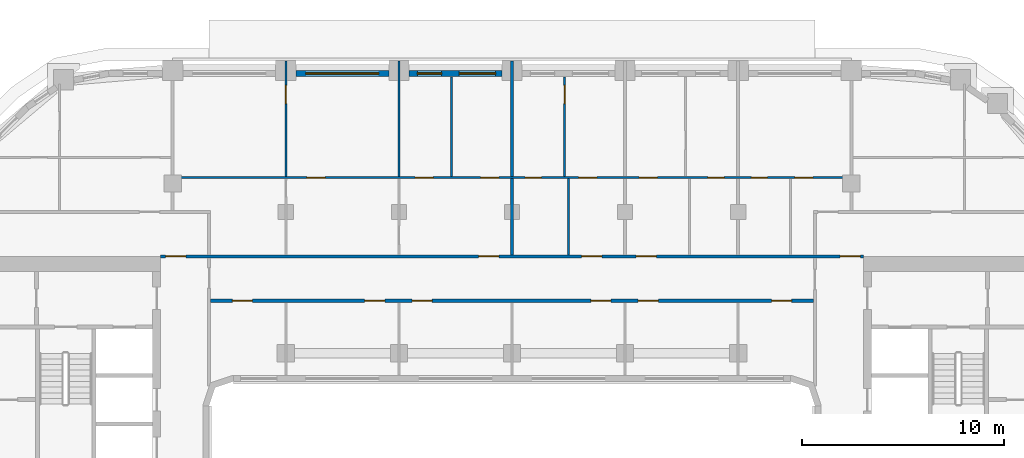
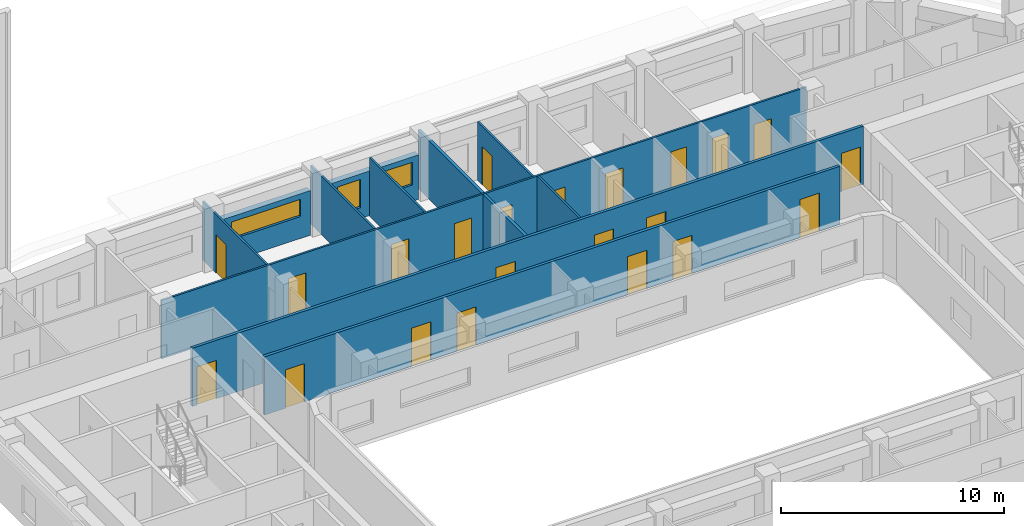
# One storey, part 8 of 22: 22 doors, 12 walls, 3 windows, 25 openings.
"""IFC4 building model written with IfcOpenShell, lengths in metres."""

from ifc_helpers import new_model, si_unit, direction, frame, frame_2d, origin, place, context, subcontext, project, spatial, rectangle, extrude, material, layer, layer_set, type_object, element, fill, save


model = new_model("IFC4")

# Units and contexts
model_context = context("Model", 3, precision=1e-05, world=origin(), true_north=direction((0.0, 1.0)))
body_context = subcontext(model_context, "Body", "Model", "MODEL_VIEW")
ifc_project = project(units=[si_unit("LENGTHUNIT", "METRE"), si_unit("AREAUNIT", "SQUARE_METRE"), si_unit("VOLUMEUNIT", "CUBIC_METRE"), si_unit("PLANEANGLEUNIT", "RADIAN"), si_unit("MASSUNIT", "GRAM", prefix="KILO")], contexts=[model_context])

# Site, building, storey
site_placement = place(None, origin())
site = spatial("IfcSite", under=ifc_project, at=site_placement, CompositionType="ELEMENT")
building_placement = place(site_placement, origin())
building = spatial("IfcBuilding", under=site, at=building_placement, Name="Kiln Ring Residences", CompositionType="ELEMENT")
storey_placement = place(building_placement, frame((0.0, 0.0, 160.60009765625)))
storey = spatial("IfcBuildingStorey", under=building, at=storey_placement, Name="L41", CompositionType="ELEMENT", Elevation=160.60009765625)

# Wall, openings, windows
ifc_material_1 = material(Name="Brick masonry, dark clay brick", Category="masonry")
ifc_layer_1 = layer(ifc_material_1, 0.300048828125)
ifc_layer_set_1 = layer_set([ifc_layer_1], Name="EW-300 BRICK WALL")
wall_type_1 = type_object("IfcWallType", Name="EW-300 BRICK WALL", PredefinedType="SOLIDWALL", material=ifc_layer_set_1)
wall_1_placement = place(storey_placement, frame((-0.5, 22.25, 0.0), z_axis=(0.0, 0.0, 1.0), x_axis=(-1.0, 0.0, 0.0)))
wall_1 = element("IfcWall", 1, at=wall_1_placement, inside=storey, type_object=wall_type_1, Name="Facade wall L41 32", PredefinedType="SOLIDWALL", context=body_context, shape_type="SweptSolid", body=[
    extrude(rectangle(XDim=4.60009765625, YDim=0.300048828125, at=frame_2d((2.300048828125, 0.0))), origin(), (0.0, 0.0, 1.0), 2.449951171875),
])
opening_1_placement = place(wall_1_placement, frame((0.3125, 0.0, 0.89990234375)))
opening_1 = element("IfcOpeningElement", 2, at=opening_1_placement, cuts=wall_1, Name="Opening W2", PredefinedType="OPENING", context=body_context, shape_type="SweptSolid", body=[
    extrude(rectangle(XDim=1.800048828125, YDim=1.25, at=frame_2d((0.89990234375, 0.625))), frame((0.0, 0.159912109375, 0.0), z_axis=(0.0, -1.0, 0.0), x_axis=(1.0, 0.0, 0.0)), (0.0, 0.0, 1.0), 0.320068359375),
])
opening_2_placement = place(wall_1_placement, frame((2.987548828125, 0.0, 0.60009765625)))
opening_2 = element("IfcOpeningElement", 3, at=opening_2_placement, cuts=wall_1, Name="Opening W1", PredefinedType="OPENING", context=body_context, shape_type="SweptSolid", body=[
    extrude(rectangle(XDim=1.199951171875, YDim=1.550048828125, at=frame_2d((0.60009765625, 0.77490234375))), frame((0.0, 0.159912109375, 0.0), z_axis=(0.0, -1.0, 0.0), x_axis=(1.0, 0.0, 0.0)), (0.0, 0.0, 1.0), 0.320068359375),
])
ifc_material_2 = material(Name="Aluminium frame with double glazing", Category="aluminium")
window_type_1 = type_object("IfcWindowType", Name="WINDOW 1200 x 1550", PartitioningType="SINGLE_PANEL", PredefinedType="WINDOW", material=ifc_material_2)
window_1_placement = place(opening_2_placement, origin())
window_1 = element("IfcWindow", 4, at=window_1_placement, inside=storey, type_object=window_type_1, Name="Window L41 25", OverallHeight=1.550048828125, OverallWidth=1.199951171875, PartitioningType="SINGLE_PANEL", PredefinedType="WINDOW", context=body_context, shape_type="SweptSolid", body=[
    extrude(rectangle(XDim=1.199951171875, YDim=1.550048828125, at=frame_2d((0.60009765625, 0.77490234375))), frame((0.0, 0.030029296875, 0.0), z_axis=(0.0, -1.0, 0.0), x_axis=(1.0, 0.0, 0.0)), (0.0, 0.0, 1.0), 0.06005859375),
])
fill(opening_2, window_1)
ifc_material_3 = material(Name="Aluminium frame with double glazing", Category="aluminium")
window_type_2 = type_object("IfcWindowType", Name="WINDOW 1800 x 1250", PartitioningType="SINGLE_PANEL", PredefinedType="WINDOW", material=ifc_material_3)
window_2_placement = place(opening_1_placement, origin())
window_2 = element("IfcWindow", 5, at=window_2_placement, inside=storey, type_object=window_type_2, Name="Window L41 24", OverallHeight=1.25, OverallWidth=1.800048828125, PartitioningType="SINGLE_PANEL", PredefinedType="WINDOW", context=body_context, shape_type="SweptSolid", body=[
    extrude(rectangle(XDim=1.800048828125, YDim=1.25, at=frame_2d((0.89990234375, 0.625))), frame((0.0, 0.030029296875, 0.0), z_axis=(0.0, -1.0, 0.0), x_axis=(1.0, 0.0, 0.0)), (0.0, 0.0, 1.0), 0.06005859375),
])
fill(opening_1, window_2)

# Wall, opening, window
wall_2_placement = place(storey_placement, frame((-6.10009765625, 22.25, 0.0), z_axis=(0.0, 0.0, 1.0), x_axis=(-1.0, 0.0, 0.0)))
wall_2 = element("IfcWall", 6, at=wall_2_placement, inside=storey, type_object=wall_type_1, Name="Facade wall L41 33", PredefinedType="SOLIDWALL", context=body_context, shape_type="SweptSolid", body=[
    extrude(rectangle(XDim=4.599853515625, YDim=0.300048828125, at=frame_2d((2.2998046875, 0.0))), origin(), (0.0, 0.0, 1.0), 2.449951171875),
])
opening_3_placement = place(wall_2_placement, frame((0.5, 0.0, 1.199951171875)))
opening_3 = element("IfcOpeningElement", 7, at=opening_3_placement, cuts=wall_2, Name="Opening W4", PredefinedType="OPENING", context=body_context, shape_type="SweptSolid", body=[
    extrude(rectangle(XDim=3.60009765625, YDim=0.949951171875, at=frame_2d((1.800048828125, 0.47509765625))), frame((0.0, 0.159912109375, 0.0), z_axis=(0.0, -1.0, 0.0), x_axis=(1.0, 0.0, 0.0)), (0.0, 0.0, 1.0), 0.320068359375),
])
ifc_material_4 = material(Name="Aluminium frame with double glazing", Category="aluminium")
window_type_3 = type_object("IfcWindowType", Name="WINDOW 3600 x 950", PartitioningType="SINGLE_PANEL", PredefinedType="WINDOW", material=ifc_material_4)
window_3_placement = place(opening_3_placement, origin())
window_3 = element("IfcWindow", 8, at=window_3_placement, inside=storey, type_object=window_type_3, Name="Window L41 26", OverallHeight=0.949951171875, OverallWidth=3.60009765625, PartitioningType="SINGLE_PANEL", PredefinedType="WINDOW", context=body_context, shape_type="SweptSolid", body=[
    extrude(rectangle(XDim=3.60009765625, YDim=0.949951171875, at=frame_2d((1.800048828125, 0.47509765625))), frame((0.0, 0.030029296875, 0.0), z_axis=(0.0, -1.0, 0.0), x_axis=(1.0, 0.0, 0.0)), (0.0, 0.0, 1.0), 0.06005859375),
])
fill(opening_3, window_3)

# Wall, openings, doors
ifc_material_5 = material(Name="Gypsum board on steel studs", Category="steel")
ifc_layer_2 = layer(ifc_material_5, 0.10009765625)
ifc_layer_set_2 = layer_set([ifc_layer_2], Name="PARTITION-100")
wall_type_2 = type_object("IfcWallType", Name="PARTITION-100", PredefinedType="PARTITIONING", material=ifc_layer_set_2)
wall_3_placement = place(storey_placement, frame((-16.72509765625, 17.10009765625, 0.0), z_axis=(0.0, 0.0, 1.0), x_axis=(1.0, 0.0, 0.0)))
wall_3 = element("IfcWall", 9, at=wall_3_placement, inside=storey, type_object=wall_type_2, Name="Partition 011", PredefinedType="PARTITIONING", context=body_context, shape_type="SweptSolid", body=[
    extrude(rectangle(XDim=33.4501953125, YDim=0.10009765625, at=frame_2d((16.72509765625, 0.0))), origin(), (0.0, 0.0, 1.0), 3.199951171875),
])
opening_4_placement = place(wall_3_placement, frame((11.925048828125, 0.0, 0.0)))
opening_4 = element("IfcOpeningElement", 10, at=opening_4_placement, cuts=wall_3, Name="Opening L41-D018", PredefinedType="OPENING", context=body_context, shape_type="SweptSolid", body=[
    extrude(rectangle(XDim=0.89990234375, YDim=2.10009765625, at=frame_2d((0.449951171875, 1.050048828125))), frame((0.0, 0.06005859375, 0.0), z_axis=(0.0, -1.0, 0.0), x_axis=(1.0, 0.0, 0.0)), (0.0, 0.0, 1.0), 0.1201171875),
])
opening_5_placement = place(wall_3_placement, frame((15.175048828125, 0.0, 0.0)))
opening_5 = element("IfcOpeningElement", 11, at=opening_5_placement, cuts=wall_3, Name="Opening L41-D019", PredefinedType="OPENING", context=body_context, shape_type="SweptSolid", body=[
    extrude(rectangle(XDim=0.89990234375, YDim=2.10009765625, at=frame_2d((0.449951171875, 1.050048828125))), frame((0.0, 0.06005859375, 0.0), z_axis=(0.0, -1.0, 0.0), x_axis=(1.0, 0.0, 0.0)), (0.0, 0.0, 1.0), 0.1201171875),
])
opening_6_placement = place(wall_3_placement, frame((6.574951171875, 0.0, 0.0)))
opening_6 = element("IfcOpeningElement", 12, at=opening_6_placement, cuts=wall_3, Name="Opening L41-D020", PredefinedType="OPENING", context=body_context, shape_type="SweptSolid", body=[
    extrude(rectangle(XDim=0.89990234375, YDim=2.10009765625, at=frame_2d((0.449951171875, 1.050048828125))), frame((0.0, 0.06005859375, 0.0), z_axis=(0.0, -1.0, 0.0), x_axis=(1.0, 0.0, 0.0)), (0.0, 0.0, 1.0), 0.1201171875),
])
opening_7_placement = place(wall_3_placement, frame((17.375, 0.0, 0.0)))
opening_7 = element("IfcOpeningElement", 13, at=opening_7_placement, cuts=wall_3, Name="Opening L41-D023", PredefinedType="OPENING", context=body_context, shape_type="SweptSolid", body=[
    extrude(rectangle(XDim=0.800048828125, YDim=2.10009765625, at=frame_2d((0.39990234375, 1.050048828125))), frame((0.0, 0.06005859375, 0.0), z_axis=(0.0, -1.0, 0.0), x_axis=(1.0, 0.0, 0.0)), (0.0, 0.0, 1.0), 0.1201171875),
])
opening_8_placement = place(wall_3_placement, frame((20.02490234375, 0.0, 0.0)))
opening_8 = element("IfcOpeningElement", 14, at=opening_8_placement, cuts=wall_3, Name="Opening L41-D024", PredefinedType="OPENING", context=body_context, shape_type="SweptSolid", body=[
    extrude(rectangle(XDim=0.89990234375, YDim=2.10009765625, at=frame_2d((0.449951171875, 1.050048828125))), frame((0.0, 0.06005859375, 0.0), z_axis=(0.0, -1.0, 0.0), x_axis=(1.0, 0.0, 0.0)), (0.0, 0.0, 1.0), 0.1201171875),
])
opening_9_placement = place(wall_3_placement, frame((26.425048828125, 0.0, 0.0)))
opening_9 = element("IfcOpeningElement", 15, at=opening_9_placement, cuts=wall_3, Name="Opening L41-D027", PredefinedType="OPENING", context=body_context, shape_type="SweptSolid", body=[
    extrude(rectangle(XDim=0.800048828125, YDim=2.10009765625, at=frame_2d((0.39990234375, 1.050048828125))), frame((0.0, 0.06005859375, 0.0), z_axis=(0.0, -1.0, 0.0), x_axis=(1.0, 0.0, 0.0)), (0.0, 0.0, 1.0), 0.1201171875),
])
opening_10_placement = place(wall_3_placement, frame((23.02490234375, 0.0, 0.0)))
opening_10 = element("IfcOpeningElement", 16, at=opening_10_placement, cuts=wall_3, Name="Opening L41-D028", PredefinedType="OPENING", context=body_context, shape_type="SweptSolid", body=[
    extrude(rectangle(XDim=0.89990234375, YDim=2.10009765625, at=frame_2d((0.449951171875, 1.050048828125))), frame((0.0, 0.06005859375, 0.0), z_axis=(0.0, -1.0, 0.0), x_axis=(1.0, 0.0, 0.0)), (0.0, 0.0, 1.0), 0.1201171875),
])
opening_11_placement = place(wall_3_placement, frame((28.574951171875, 0.0, 0.0)))
opening_11 = element("IfcOpeningElement", 17, at=opening_11_placement, cuts=wall_3, Name="Opening L41-D031", PredefinedType="OPENING", context=body_context, shape_type="SweptSolid", body=[
    extrude(rectangle(XDim=0.800048828125, YDim=2.10009765625, at=frame_2d((0.39990234375, 1.050048828125))), frame((0.0, 0.06005859375, 0.0), z_axis=(0.0, -1.0, 0.0), x_axis=(1.0, 0.0, 0.0)), (0.0, 0.0, 1.0), 0.1201171875),
])
opening_12_placement = place(wall_3_placement, frame((30.72509765625, 0.0, 0.0)))
opening_12 = element("IfcOpeningElement", 18, at=opening_12_placement, cuts=wall_3, Name="Opening L41-D032", PredefinedType="OPENING", context=body_context, shape_type="SweptSolid", body=[
    extrude(rectangle(XDim=0.89990234375, YDim=2.10009765625, at=frame_2d((0.449951171875, 1.050048828125))), frame((0.0, 0.06005859375, 0.0), z_axis=(0.0, -1.0, 0.0), x_axis=(1.0, 0.0, 0.0)), (0.0, 0.0, 1.0), 0.1201171875),
])
ifc_material_6 = material(Name="Timber door leaf", Category="wood")
door_type_1 = type_object("IfcDoorType", Name="FLAT-DOOR-800-PL", OperationType="SINGLE_SWING_LEFT", PredefinedType="DOOR", material=ifc_material_6)
door_1_placement = place(opening_7_placement, origin())
door_1 = element("IfcDoor", 19, at=door_1_placement, inside=storey, type_object=door_type_1, Name="Door L41-D023", OperationType="SINGLE_SWING_LEFT", OverallHeight=2.10009765625, OverallWidth=0.800048828125, PredefinedType="DOOR", context=body_context, shape_type="SweptSolid", body=[
    extrude(rectangle(XDim=0.800048828125, YDim=2.10009765625, at=frame_2d((0.39990234375, 1.050048828125))), frame((0.0, 0.02490234375, 0.0), z_axis=(0.0, -1.0, 0.0), x_axis=(1.0, 0.0, 0.0)), (0.0, 0.0, 1.0), 0.050048828125),
])
fill(opening_7, door_1)
door_2_placement = place(opening_9_placement, origin())
door_2 = element("IfcDoor", 20, at=door_2_placement, inside=storey, type_object=door_type_1, Name="Door L41-D027", OperationType="SINGLE_SWING_LEFT", OverallHeight=2.10009765625, OverallWidth=0.800048828125, PredefinedType="DOOR", context=body_context, shape_type="SweptSolid", body=[
    extrude(rectangle(XDim=0.800048828125, YDim=2.10009765625, at=frame_2d((0.39990234375, 1.050048828125))), frame((0.0, 0.02490234375, 0.0), z_axis=(0.0, -1.0, 0.0), x_axis=(1.0, 0.0, 0.0)), (0.0, 0.0, 1.0), 0.050048828125),
])
fill(opening_9, door_2)
door_3_placement = place(opening_11_placement, origin())
door_3 = element("IfcDoor", 21, at=door_3_placement, inside=storey, type_object=door_type_1, Name="Door L41-D031", OperationType="SINGLE_SWING_LEFT", OverallHeight=2.10009765625, OverallWidth=0.800048828125, PredefinedType="DOOR", context=body_context, shape_type="SweptSolid", body=[
    extrude(rectangle(XDim=0.800048828125, YDim=2.10009765625, at=frame_2d((0.39990234375, 1.050048828125))), frame((0.0, 0.02490234375, 0.0), z_axis=(0.0, -1.0, 0.0), x_axis=(1.0, 0.0, 0.0)), (0.0, 0.0, 1.0), 0.050048828125),
])
fill(opening_11, door_3)
ifc_material_7 = material(Name="Timber door leaf", Category="wood")
door_type_2 = type_object("IfcDoorType", Name="FLAT-DOOR-900-PL", OperationType="SINGLE_SWING_LEFT", PredefinedType="DOOR", material=ifc_material_7)
door_4_placement = place(opening_4_placement, origin())
door_4 = element("IfcDoor", 22, at=door_4_placement, inside=storey, type_object=door_type_2, Name="Door L41-D018", OperationType="SINGLE_SWING_RIGHT", OverallHeight=2.10009765625, OverallWidth=0.89990234375, PredefinedType="DOOR", context=body_context, shape_type="SweptSolid", body=[
    extrude(rectangle(XDim=0.89990234375, YDim=2.10009765625, at=frame_2d((0.449951171875, 1.050048828125))), frame((0.0, 0.02490234375, 0.0), z_axis=(0.0, -1.0, 0.0), x_axis=(1.0, 0.0, 0.0)), (0.0, 0.0, 1.0), 0.050048828125),
])
fill(opening_4, door_4)
door_5_placement = place(opening_5_placement, origin())
door_5 = element("IfcDoor", 23, at=door_5_placement, inside=storey, type_object=door_type_2, Name="Door L41-D019", OperationType="SINGLE_SWING_LEFT", OverallHeight=2.10009765625, OverallWidth=0.89990234375, PredefinedType="DOOR", context=body_context, shape_type="SweptSolid", body=[
    extrude(rectangle(XDim=0.89990234375, YDim=2.10009765625, at=frame_2d((0.449951171875, 1.050048828125))), frame((0.0, 0.02490234375, 0.0), z_axis=(0.0, -1.0, 0.0), x_axis=(1.0, 0.0, 0.0)), (0.0, 0.0, 1.0), 0.050048828125),
])
fill(opening_5, door_5)
door_6_placement = place(opening_6_placement, origin())
door_6 = element("IfcDoor", 24, at=door_6_placement, inside=storey, type_object=door_type_2, Name="Door L41-D020", OperationType="SINGLE_SWING_RIGHT", OverallHeight=2.10009765625, OverallWidth=0.89990234375, PredefinedType="DOOR", context=body_context, shape_type="SweptSolid", body=[
    extrude(rectangle(XDim=0.89990234375, YDim=2.10009765625, at=frame_2d((0.449951171875, 1.050048828125))), frame((0.0, 0.02490234375, 0.0), z_axis=(0.0, -1.0, 0.0), x_axis=(1.0, 0.0, 0.0)), (0.0, 0.0, 1.0), 0.050048828125),
])
fill(opening_6, door_6)
door_7_placement = place(opening_8_placement, origin())
door_7 = element("IfcDoor", 25, at=door_7_placement, inside=storey, type_object=door_type_2, Name="Door L41-D024", OperationType="SINGLE_SWING_RIGHT", OverallHeight=2.10009765625, OverallWidth=0.89990234375, PredefinedType="DOOR", context=body_context, shape_type="SweptSolid", body=[
    extrude(rectangle(XDim=0.89990234375, YDim=2.10009765625, at=frame_2d((0.449951171875, 1.050048828125))), frame((0.0, 0.02490234375, 0.0), z_axis=(0.0, -1.0, 0.0), x_axis=(1.0, 0.0, 0.0)), (0.0, 0.0, 1.0), 0.050048828125),
])
fill(opening_8, door_7)
door_8_placement = place(opening_10_placement, origin())
door_8 = element("IfcDoor", 26, at=door_8_placement, inside=storey, type_object=door_type_2, Name="Door L41-D028", OperationType="SINGLE_SWING_RIGHT", OverallHeight=2.10009765625, OverallWidth=0.89990234375, PredefinedType="DOOR", context=body_context, shape_type="SweptSolid", body=[
    extrude(rectangle(XDim=0.89990234375, YDim=2.10009765625, at=frame_2d((0.449951171875, 1.050048828125))), frame((0.0, 0.02490234375, 0.0), z_axis=(0.0, -1.0, 0.0), x_axis=(1.0, 0.0, 0.0)), (0.0, 0.0, 1.0), 0.050048828125),
])
fill(opening_10, door_8)
door_9_placement = place(opening_12_placement, origin())
door_9 = element("IfcDoor", 27, at=door_9_placement, inside=storey, type_object=door_type_2, Name="Door L41-D032", OperationType="SINGLE_SWING_RIGHT", OverallHeight=2.10009765625, OverallWidth=0.89990234375, PredefinedType="DOOR", context=body_context, shape_type="SweptSolid", body=[
    extrude(rectangle(XDim=0.89990234375, YDim=2.10009765625, at=frame_2d((0.449951171875, 1.050048828125))), frame((0.0, 0.02490234375, 0.0), z_axis=(0.0, -1.0, 0.0), x_axis=(1.0, 0.0, 0.0)), (0.0, 0.0, 1.0), 0.050048828125),
])
fill(opening_12, door_9)

# Wall, opening, door
wall_4_placement = place(storey_placement, frame((-11.199951171875, 17.14990234375, 0.0), z_axis=(0.0, 0.0, 1.0), x_axis=(0.0, 1.0, 0.0)))
wall_4 = element("IfcWall", 28, at=wall_4_placement, inside=storey, type_object=wall_type_2, Name="Partition 029", PredefinedType="PARTITIONING", context=body_context, shape_type="SweptSolid", body=[
    extrude(rectangle(XDim=5.72998046875, YDim=0.10009765625, at=frame_2d((2.864990234375, 0.0))), origin(), (0.0, 0.0, 1.0), 3.199951171875),
])
opening_13_placement = place(wall_4_placement, frame((3.610107421875, 0.0, 0.0)))
opening_13 = element("IfcOpeningElement", 29, at=opening_13_placement, cuts=wall_4, Name="Opening L41-D021", PredefinedType="OPENING", context=body_context, shape_type="SweptSolid", body=[
    extrude(rectangle(XDim=0.89990234375, YDim=2.10009765625, at=frame_2d((0.449951171875, 1.050048828125))), frame((0.0, 0.06005859375, 0.0), z_axis=(0.0, -1.0, 0.0), x_axis=(1.0, 0.0, 0.0)), (0.0, 0.0, 1.0), 0.1201171875),
])
door_10_placement = place(opening_13_placement, origin())
door_10 = element("IfcDoor", 30, at=door_10_placement, inside=storey, type_object=door_type_2, Name="Door L41-D021", OperationType="SINGLE_SWING_LEFT", OverallHeight=2.10009765625, OverallWidth=0.89990234375, PredefinedType="DOOR", context=body_context, shape_type="SweptSolid", body=[
    extrude(rectangle(XDim=0.89990234375, YDim=2.10009765625, at=frame_2d((0.449951171875, 1.050048828125))), frame((0.0, 0.02490234375, 0.0), z_axis=(0.0, -1.0, 0.0), x_axis=(1.0, 0.0, 0.0)), (0.0, 0.0, 1.0), 0.050048828125),
])
fill(opening_13, door_10)

# Walls
wall_5_placement = place(storey_placement, frame((-5.60009765625, 17.14990234375, 0.0), z_axis=(0.0, 0.0, 1.0), x_axis=(0.0, 1.0, 0.0)))
element("IfcWall", 31, at=wall_5_placement, inside=storey, type_object=wall_type_2, Name="Partition 036", PredefinedType="PARTITIONING", context=body_context, shape_type="SweptSolid", body=[
    extrude(rectangle(XDim=5.72998046875, YDim=0.10009765625, at=frame_2d((2.864990234375, 0.0))), origin(), (0.0, 0.0, 1.0), 3.199951171875),
])
wall_6_placement = place(storey_placement, frame((-3.0, 17.14990234375, 0.0), z_axis=(0.0, 0.0, 1.0), x_axis=(0.0, 1.0, 0.0)))
element("IfcWall", 32, at=wall_6_placement, inside=storey, type_object=wall_type_2, Name="Partition 039", PredefinedType="PARTITIONING", context=body_context, shape_type="SweptSolid", body=[
    extrude(rectangle(XDim=4.93017578125, YDim=0.10009765625, at=frame_2d((2.465087890625, 0.0))), origin(), (0.0, 0.0, 1.0), 3.199951171875),
])

# Wall, opening, door
wall_7_placement = place(storey_placement, frame((2.60009765625, 17.14990234375, 0.0), z_axis=(0.0, 0.0, 1.0), x_axis=(0.0, 1.0, 0.0)))
wall_7 = element("IfcWall", 33, at=wall_7_placement, inside=storey, type_object=wall_type_2, Name="Partition 047", PredefinedType="PARTITIONING", context=body_context, shape_type="SweptSolid", body=[
    extrude(rectangle(XDim=4.93017578125, YDim=0.10009765625, at=frame_2d((2.465087890625, 0.0))), origin(), (0.0, 0.0, 1.0), 3.199951171875),
])
opening_14_placement = place(wall_7_placement, frame((3.610107421875, 0.0, 0.0)))
opening_14 = element("IfcOpeningElement", 34, at=opening_14_placement, cuts=wall_7, Name="Opening L41-D025", PredefinedType="OPENING", context=body_context, shape_type="SweptSolid", body=[
    extrude(rectangle(XDim=0.89990234375, YDim=2.10009765625, at=frame_2d((0.449951171875, 1.050048828125))), frame((0.0, 0.06005859375, 0.0), z_axis=(0.0, -1.0, 0.0), x_axis=(1.0, 0.0, 0.0)), (0.0, 0.0, 1.0), 0.1201171875),
])
door_11_placement = place(opening_14_placement, origin())
door_11 = element("IfcDoor", 35, at=door_11_placement, inside=storey, type_object=door_type_2, Name="Door L41-D025", OperationType="SINGLE_SWING_LEFT", OverallHeight=2.10009765625, OverallWidth=0.89990234375, PredefinedType="DOOR", context=body_context, shape_type="SweptSolid", body=[
    extrude(rectangle(XDim=0.89990234375, YDim=2.10009765625, at=frame_2d((0.449951171875, 1.050048828125))), frame((0.0, 0.02490234375, 0.0), z_axis=(0.0, -1.0, 0.0), x_axis=(1.0, 0.0, 0.0)), (0.0, 0.0, 1.0), 0.050048828125),
])
fill(opening_14, door_11)

# Wall
wall_8_placement = place(storey_placement, frame((2.800048828125, 13.27490234375, 0.0), z_axis=(0.0, 0.0, 1.0), x_axis=(0.0, 1.0, 0.0)))
element("IfcWall", 36, at=wall_8_placement, inside=storey, type_object=wall_type_2, Name="Partition 048", PredefinedType="PARTITIONING", context=body_context, shape_type="SweptSolid", body=[
    extrude(rectangle(XDim=3.775146484375, YDim=0.10009765625, at=frame_2d((1.8876953125, 0.0))), origin(), (0.0, 0.0, 1.0), 3.199951171875),
])

# Wall, openings, doors
ifc_material_8 = material(Name="Brick masonry partition", Category="masonry")
ifc_layer_3 = layer(ifc_material_8, 0.14990234375)
ifc_layer_set_3 = layer_set([ifc_layer_3], Name="PARTITION-150-ei60")
wall_type_3 = type_object("IfcWallType", Name="PARTITION-150-ei60", PredefinedType="PARTITIONING", material=ifc_layer_set_3)
wall_9_placement = place(storey_placement, frame((-14.925048828125, 11.0, 0.0), z_axis=(0.0, 0.0, 1.0), x_axis=(1.0, 0.0, 0.0)))
wall_9 = element("IfcWall", 37, at=wall_9_placement, inside=storey, type_object=wall_type_3, Name="Partition 007", PredefinedType="PARTITIONING", context=body_context, shape_type="SweptSolid", body=[
    extrude(rectangle(XDim=29.85009765625, YDim=0.14990234375, at=frame_2d((14.925048828125, 0.0))), origin(), (0.0, 0.0, 1.0), 3.199951171875),
])
opening_15_placement = place(wall_9_placement, frame((1.075927734375, 0.0, 0.0)))
opening_15 = element("IfcOpeningElement", 38, at=opening_15_placement, cuts=wall_9, Name="Opening L41-D009", PredefinedType="OPENING", context=body_context, shape_type="SweptSolid", body=[
    extrude(rectangle(XDim=1.0, YDim=2.10009765625, at=frame_2d((0.5, 1.050048828125))), frame((0.0, 0.0849609375, 0.0), z_axis=(0.0, -1.0, 0.0), x_axis=(1.0, 0.0, 0.0)), (0.0, 0.0, 1.0), 0.169921875),
])
opening_16_placement = place(wall_9_placement, frame((7.625, 0.0, 0.0)))
opening_16 = element("IfcOpeningElement", 39, at=opening_16_placement, cuts=wall_9, Name="Opening L41-D010", PredefinedType="OPENING", context=body_context, shape_type="SweptSolid", body=[
    extrude(rectangle(XDim=1.0, YDim=2.10009765625, at=frame_2d((0.5, 1.050048828125))), frame((0.0, 0.0849609375, 0.0), z_axis=(0.0, -1.0, 0.0), x_axis=(1.0, 0.0, 0.0)), (0.0, 0.0, 1.0), 0.169921875),
])
opening_17_placement = place(wall_9_placement, frame((9.97509765625, 0.0, 0.0)))
opening_17 = element("IfcOpeningElement", 40, at=opening_17_placement, cuts=wall_9, Name="Opening L41-D011", PredefinedType="OPENING", context=body_context, shape_type="SweptSolid", body=[
    extrude(rectangle(XDim=1.0, YDim=2.10009765625, at=frame_2d((0.5, 1.050048828125))), frame((0.0, 0.0849609375, 0.0), z_axis=(0.0, -1.0, 0.0), x_axis=(1.0, 0.0, 0.0)), (0.0, 0.0, 1.0), 0.169921875),
])
opening_18_placement = place(wall_9_placement, frame((18.824951171875, 0.0, 0.0)))
opening_18 = element("IfcOpeningElement", 41, at=opening_18_placement, cuts=wall_9, Name="Opening L41-D012", PredefinedType="OPENING", context=body_context, shape_type="SweptSolid", body=[
    extrude(rectangle(XDim=1.0, YDim=2.10009765625, at=frame_2d((0.5, 1.050048828125))), frame((0.0, 0.0849609375, 0.0), z_axis=(0.0, -1.0, 0.0), x_axis=(1.0, 0.0, 0.0)), (0.0, 0.0, 1.0), 0.169921875),
])
opening_19_placement = place(wall_9_placement, frame((21.175048828125, 0.0, 0.0)))
opening_19 = element("IfcOpeningElement", 42, at=opening_19_placement, cuts=wall_9, Name="Opening L41-D013", PredefinedType="OPENING", context=body_context, shape_type="SweptSolid", body=[
    extrude(rectangle(XDim=1.0, YDim=2.10009765625, at=frame_2d((0.5, 1.050048828125))), frame((0.0, 0.0849609375, 0.0), z_axis=(0.0, -1.0, 0.0), x_axis=(1.0, 0.0, 0.0)), (0.0, 0.0, 1.0), 0.169921875),
])
opening_20_placement = place(wall_9_placement, frame((27.77490234375, 0.0, 0.0)))
opening_20 = element("IfcOpeningElement", 43, at=opening_20_placement, cuts=wall_9, Name="Opening L41-D014", PredefinedType="OPENING", context=body_context, shape_type="SweptSolid", body=[
    extrude(rectangle(XDim=1.0, YDim=2.10009765625, at=frame_2d((0.5, 1.050048828125))), frame((0.0, 0.0849609375, 0.0), z_axis=(0.0, -1.0, 0.0), x_axis=(1.0, 0.0, 0.0)), (0.0, 0.0, 1.0), 0.169921875),
])
ifc_material_9 = material(Name="Steel faced fire door leaf", Category="steel")
door_type_3 = type_object("IfcDoorType", Name="FLAT-DOOR-1000-FR", OperationType="SINGLE_SWING_LEFT", PredefinedType="DOOR", material=ifc_material_9)
door_12_placement = place(opening_15_placement, origin())
door_12 = element("IfcDoor", 44, at=door_12_placement, inside=storey, type_object=door_type_3, Name="Door L41-D009", OperationType="SINGLE_SWING_LEFT", OverallHeight=2.10009765625, OverallWidth=1.0, PredefinedType="DOOR", context=body_context, shape_type="SweptSolid", body=[
    extrude(rectangle(XDim=1.0, YDim=2.10009765625, at=frame_2d((0.5, 1.050048828125))), frame((0.0, 0.02490234375, 0.0), z_axis=(0.0, -1.0, 0.0), x_axis=(1.0, 0.0, 0.0)), (0.0, 0.0, 1.0), 0.050048828125),
])
fill(opening_15, door_12)
door_13_placement = place(opening_16_placement, origin())
door_13 = element("IfcDoor", 45, at=door_13_placement, inside=storey, type_object=door_type_3, Name="Door L41-D010", OperationType="SINGLE_SWING_RIGHT", OverallHeight=2.10009765625, OverallWidth=1.0, PredefinedType="DOOR", context=body_context, shape_type="SweptSolid", body=[
    extrude(rectangle(XDim=1.0, YDim=2.10009765625, at=frame_2d((0.5, 1.050048828125))), frame((0.0, 0.02490234375, 0.0), z_axis=(0.0, -1.0, 0.0), x_axis=(1.0, 0.0, 0.0)), (0.0, 0.0, 1.0), 0.050048828125),
])
fill(opening_16, door_13)
door_14_placement = place(opening_17_placement, origin())
door_14 = element("IfcDoor", 46, at=door_14_placement, inside=storey, type_object=door_type_3, Name="Door L41-D011", OperationType="SINGLE_SWING_LEFT", OverallHeight=2.10009765625, OverallWidth=1.0, PredefinedType="DOOR", context=body_context, shape_type="SweptSolid", body=[
    extrude(rectangle(XDim=1.0, YDim=2.10009765625, at=frame_2d((0.5, 1.050048828125))), frame((0.0, 0.02490234375, 0.0), z_axis=(0.0, -1.0, 0.0), x_axis=(1.0, 0.0, 0.0)), (0.0, 0.0, 1.0), 0.050048828125),
])
fill(opening_17, door_14)
door_15_placement = place(opening_18_placement, origin())
door_15 = element("IfcDoor", 47, at=door_15_placement, inside=storey, type_object=door_type_3, Name="Door L41-D012", OperationType="SINGLE_SWING_RIGHT", OverallHeight=2.10009765625, OverallWidth=1.0, PredefinedType="DOOR", context=body_context, shape_type="SweptSolid", body=[
    extrude(rectangle(XDim=1.0, YDim=2.10009765625, at=frame_2d((0.5, 1.050048828125))), frame((0.0, 0.02490234375, 0.0), z_axis=(0.0, -1.0, 0.0), x_axis=(1.0, 0.0, 0.0)), (0.0, 0.0, 1.0), 0.050048828125),
])
fill(opening_18, door_15)
door_16_placement = place(opening_19_placement, origin())
door_16 = element("IfcDoor", 48, at=door_16_placement, inside=storey, type_object=door_type_3, Name="Door L41-D013", OperationType="SINGLE_SWING_LEFT", OverallHeight=2.10009765625, OverallWidth=1.0, PredefinedType="DOOR", context=body_context, shape_type="SweptSolid", body=[
    extrude(rectangle(XDim=1.0, YDim=2.10009765625, at=frame_2d((0.5, 1.050048828125))), frame((0.0, 0.02490234375, 0.0), z_axis=(0.0, -1.0, 0.0), x_axis=(1.0, 0.0, 0.0)), (0.0, 0.0, 1.0), 0.050048828125),
])
fill(opening_19, door_16)
door_17_placement = place(opening_20_placement, origin())
door_17 = element("IfcDoor", 49, at=door_17_placement, inside=storey, type_object=door_type_3, Name="Door L41-D014", OperationType="SINGLE_SWING_RIGHT", OverallHeight=2.10009765625, OverallWidth=1.0, PredefinedType="DOOR", context=body_context, shape_type="SweptSolid", body=[
    extrude(rectangle(XDim=1.0, YDim=2.10009765625, at=frame_2d((0.5, 1.050048828125))), frame((0.0, 0.02490234375, 0.0), z_axis=(0.0, -1.0, 0.0), x_axis=(1.0, 0.0, 0.0)), (0.0, 0.0, 1.0), 0.050048828125),
])
fill(opening_20, door_17)

wall_10_placement = place(storey_placement, frame((-17.39990234375, 13.199951171875, 0.0), z_axis=(0.0, 0.0, 1.0), x_axis=(1.0, 0.0, 0.0)))
wall_10 = element("IfcWall", 50, at=wall_10_placement, inside=storey, type_object=wall_type_3, Name="Partition 008", PredefinedType="PARTITIONING", context=body_context, shape_type="SweptSolid", body=[
    extrude(rectangle(XDim=34.7998046875, YDim=0.14990234375, at=frame_2d((17.39990234375, 0.0))), origin(), (0.0, 0.0, 1.0), 3.199951171875),
])
opening_21_placement = place(wall_10_placement, frame((0.25, 0.0, 0.0)))
opening_21 = element("IfcOpeningElement", 51, at=opening_21_placement, cuts=wall_10, Name="Opening L41-D003", PredefinedType="OPENING", context=body_context, shape_type="SweptSolid", body=[
    extrude(rectangle(XDim=1.0, YDim=2.10009765625, at=frame_2d((0.5, 1.050048828125))), frame((0.0, 0.0849609375, 0.0), z_axis=(0.0, -1.0, 0.0), x_axis=(1.0, 0.0, 0.0)), (0.0, 0.0, 1.0), 0.169921875),
])
opening_22_placement = place(wall_10_placement, frame((33.64990234375, 0.0, 0.0)))
opening_22 = element("IfcOpeningElement", 52, at=opening_22_placement, cuts=wall_10, Name="Opening L41-D004", PredefinedType="OPENING", context=body_context, shape_type="SweptSolid", body=[
    extrude(rectangle(XDim=1.0, YDim=2.10009765625, at=frame_2d((0.5, 1.050048828125))), frame((0.0, 0.0849609375, 0.0), z_axis=(0.0, -1.0, 0.0), x_axis=(1.0, 0.0, 0.0)), (0.0, 0.0, 1.0), 0.169921875),
])
opening_23_placement = place(wall_10_placement, frame((15.75, 0.0, 0.0)))
opening_23 = element("IfcOpeningElement", 53, at=opening_23_placement, cuts=wall_10, Name="Opening L41-D015", PredefinedType="OPENING", context=body_context, shape_type="SweptSolid", body=[
    extrude(rectangle(XDim=1.0, YDim=2.10009765625, at=frame_2d((0.5, 1.050048828125))), frame((0.0, 0.0849609375, 0.0), z_axis=(0.0, -1.0, 0.0), x_axis=(1.0, 0.0, 0.0)), (0.0, 0.0, 1.0), 0.169921875),
])
opening_24_placement = place(wall_10_placement, frame((20.85009765625, 0.0, 0.0)))
opening_24 = element("IfcOpeningElement", 54, at=opening_24_placement, cuts=wall_10, Name="Opening L41-D022", PredefinedType="OPENING", context=body_context, shape_type="SweptSolid", body=[
    extrude(rectangle(XDim=1.0, YDim=2.10009765625, at=frame_2d((0.5, 1.050048828125))), frame((0.0, 0.0849609375, 0.0), z_axis=(0.0, -1.0, 0.0), x_axis=(1.0, 0.0, 0.0)), (0.0, 0.0, 1.0), 0.169921875),
])
opening_25_placement = place(wall_10_placement, frame((23.550048828125, 0.0, 0.0)))
opening_25 = element("IfcOpeningElement", 55, at=opening_25_placement, cuts=wall_10, Name="Opening L41-D026", PredefinedType="OPENING", context=body_context, shape_type="SweptSolid", body=[
    extrude(rectangle(XDim=1.0, YDim=2.10009765625, at=frame_2d((0.5, 1.050048828125))), frame((0.0, 0.0849609375, 0.0), z_axis=(0.0, -1.0, 0.0), x_axis=(1.0, 0.0, 0.0)), (0.0, 0.0, 1.0), 0.169921875),
])
door_18_placement = place(opening_21_placement, origin())
door_18 = element("IfcDoor", 56, at=door_18_placement, inside=storey, type_object=door_type_3, Name="Door L41-D003", OperationType="SINGLE_SWING_LEFT", OverallHeight=2.10009765625, OverallWidth=1.0, PredefinedType="DOOR", context=body_context, shape_type="SweptSolid", body=[
    extrude(rectangle(XDim=1.0, YDim=2.10009765625, at=frame_2d((0.5, 1.050048828125))), frame((0.0, 0.02490234375, 0.0), z_axis=(0.0, -1.0, 0.0), x_axis=(1.0, 0.0, 0.0)), (0.0, 0.0, 1.0), 0.050048828125),
])
fill(opening_21, door_18)
door_19_placement = place(opening_22_placement, origin())
door_19 = element("IfcDoor", 57, at=door_19_placement, inside=storey, type_object=door_type_3, Name="Door L41-D004", OperationType="SINGLE_SWING_RIGHT", OverallHeight=2.10009765625, OverallWidth=1.0, PredefinedType="DOOR", context=body_context, shape_type="SweptSolid", body=[
    extrude(rectangle(XDim=1.0, YDim=2.10009765625, at=frame_2d((0.5, 1.050048828125))), frame((0.0, 0.02490234375, 0.0), z_axis=(0.0, -1.0, 0.0), x_axis=(1.0, 0.0, 0.0)), (0.0, 0.0, 1.0), 0.050048828125),
])
fill(opening_22, door_19)
door_20_placement = place(opening_23_placement, origin())
door_20 = element("IfcDoor", 58, at=door_20_placement, inside=storey, type_object=door_type_3, Name="Door L41-D015", OperationType="SINGLE_SWING_LEFT", OverallHeight=2.10009765625, OverallWidth=1.0, PredefinedType="DOOR", context=body_context, shape_type="SweptSolid", body=[
    extrude(rectangle(XDim=1.0, YDim=2.10009765625, at=frame_2d((0.5, 1.050048828125))), frame((0.0, 0.02490234375, 0.0), z_axis=(0.0, -1.0, 0.0), x_axis=(1.0, 0.0, 0.0)), (0.0, 0.0, 1.0), 0.050048828125),
])
fill(opening_23, door_20)
door_21_placement = place(opening_24_placement, origin())
door_21 = element("IfcDoor", 59, at=door_21_placement, inside=storey, type_object=door_type_3, Name="Door L41-D022", OperationType="SINGLE_SWING_RIGHT", OverallHeight=2.10009765625, OverallWidth=1.0, PredefinedType="DOOR", context=body_context, shape_type="SweptSolid", body=[
    extrude(rectangle(XDim=1.0, YDim=2.10009765625, at=frame_2d((0.5, 1.050048828125))), frame((0.0, 0.02490234375, 0.0), z_axis=(0.0, -1.0, 0.0), x_axis=(1.0, 0.0, 0.0)), (0.0, 0.0, 1.0), 0.050048828125),
])
fill(opening_24, door_21)
door_22_placement = place(opening_25_placement, origin())
door_22 = element("IfcDoor", 60, at=door_22_placement, inside=storey, type_object=door_type_3, Name="Door L41-D026", OperationType="SINGLE_SWING_RIGHT", OverallHeight=2.10009765625, OverallWidth=1.0, PredefinedType="DOOR", context=body_context, shape_type="SweptSolid", body=[
    extrude(rectangle(XDim=1.0, YDim=2.10009765625, at=frame_2d((0.5, 1.050048828125))), frame((0.0, 0.02490234375, 0.0), z_axis=(0.0, -1.0, 0.0), x_axis=(1.0, 0.0, 0.0)), (0.0, 0.0, 1.0), 0.050048828125),
])
fill(opening_25, door_22)

# Walls
wall_11_placement = place(storey_placement, frame((0.0, 13.27490234375, 0.0), z_axis=(0.0, 0.0, 1.0), x_axis=(0.0, 1.0, 0.0)))
element("IfcWall", 61, at=wall_11_placement, inside=storey, type_object=wall_type_3, Name="Partition 045", PredefinedType="PARTITIONING", context=body_context, shape_type="SweptSolid", body=[
    extrude(rectangle(XDim=3.775146484375, YDim=0.14990234375, at=frame_2d((1.8876953125, 0.0))), origin(), (0.0, 0.0, 1.0), 3.199951171875),
])
wall_12_placement = place(storey_placement, frame((0.0, 17.14990234375, 0.0), z_axis=(0.0, 0.0, 1.0), x_axis=(0.0, 1.0, 0.0)))
element("IfcWall", 62, at=wall_12_placement, inside=storey, type_object=wall_type_3, Name="Partition 046", PredefinedType="PARTITIONING", context=body_context, shape_type="SweptSolid", body=[
    extrude(rectangle(XDim=5.72998046875, YDim=0.14990234375, at=frame_2d((2.864990234375, 0.0))), origin(), (0.0, 0.0, 1.0), 3.199951171875),
])

save(model, "model.ifc")
